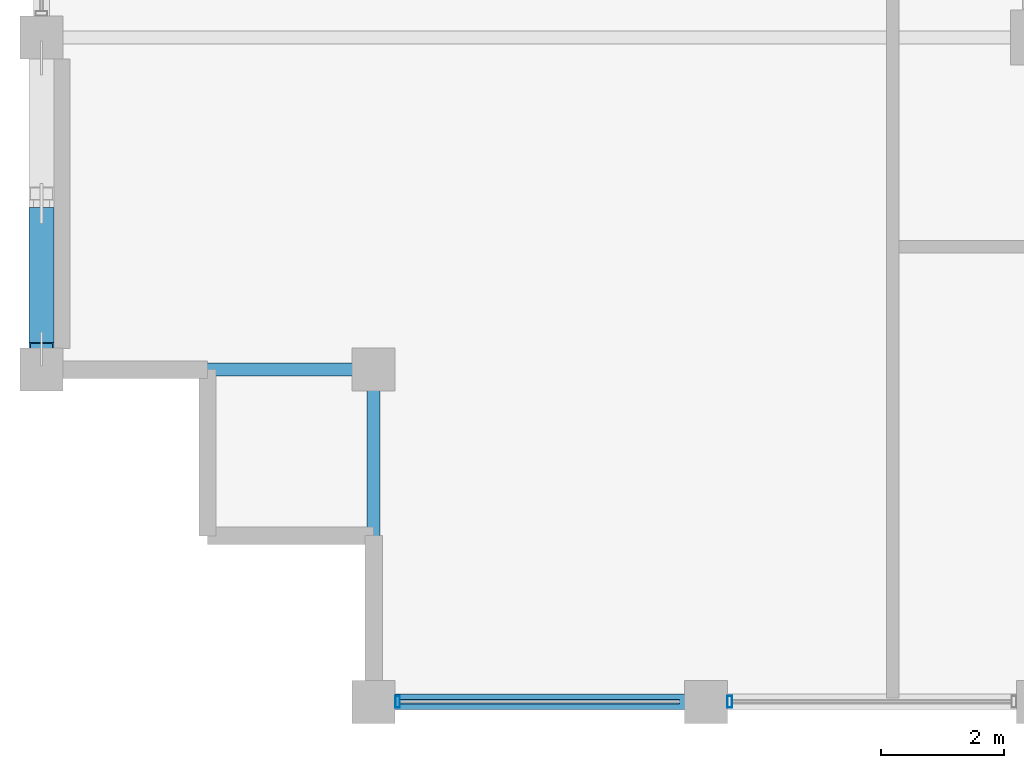
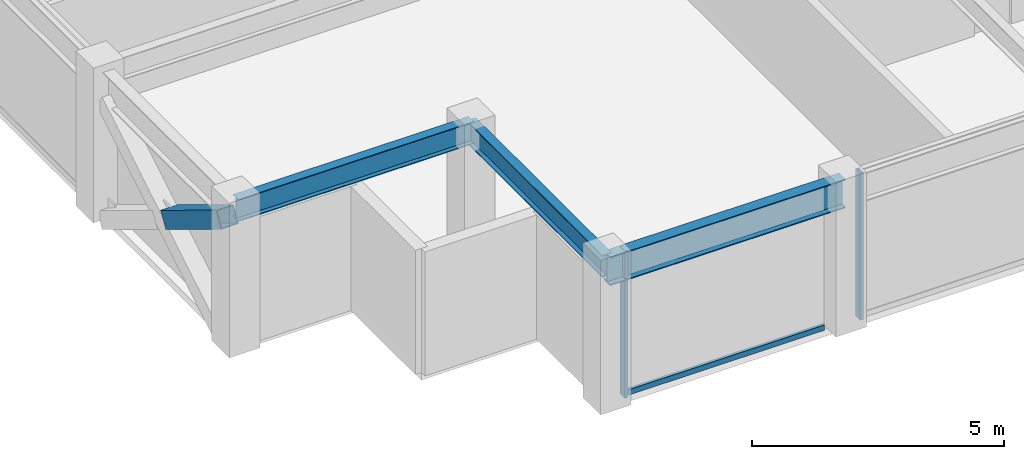
# One storey, part 2 of 31: 4 members, 3 beams, 1 element without a shape of its own.
"""IFC4 building model written with IfcOpenShell, lengths in metres."""

from ifc_helpers import new_model, si_unit, direction, frame, origin, origin_2d, place, context, subcontext, project, spatial, hollow_rectangle, i_section, extrude, material, layer, layer_set, material_profile, profile_set, type_object, element, aggregate, save


model = new_model("IFC4")

# Units and contexts
model_context = context("Model", 3, precision=1e-05, world=origin(), true_north=direction((0.0, 1.0)))
body_context = subcontext(model_context, "Body", "Model", "MODEL_VIEW")
ifc_project = project(units=[si_unit("LENGTHUNIT", "METRE"), si_unit("AREAUNIT", "SQUARE_METRE"), si_unit("VOLUMEUNIT", "CUBIC_METRE"), si_unit("PLANEANGLEUNIT", "RADIAN"), si_unit("MASSUNIT", "GRAM", prefix="KILO")], contexts=[model_context])

# Site, building, storey
site_placement = place(None, origin())
site = spatial("IfcSite", under=ifc_project, at=site_placement, CompositionType="ELEMENT")
building_placement = place(site_placement, origin())
building = spatial("IfcBuilding", under=site, at=building_placement, Name="Surkhivell Harbour Commons", CompositionType="ELEMENT")
storey_placement = place(building_placement, frame((0.0, 0.0, 288.75)))
storey = spatial("IfcBuildingStorey", under=building, at=storey_placement, Name="L75", CompositionType="ELEMENT", Elevation=288.75)

# Beams
ifc_material_1 = material(Name="Steel S355", Category="steel")
ifc_material_profile_1 = material_profile(ifc_material_1, i_section(OverallWidth=0.2099609375, OverallDepth=0.537109375, WebThickness=0.0107421875, FlangeThickness=0.017333984375, at=origin_2d()), Name="UB533x210x101")
ifc_profile_set_1 = profile_set([ifc_material_profile_1], Name="Steel S355")
beam_type_1 = type_object("IfcBeamType", Name="BM-GRD-533B", PredefinedType="BEAM", material=ifc_profile_set_1)
beam_1_placement = place(storey_placement, frame((-27.0, -16.199951171875, 3.301513671875), z_axis=(1.0, 0.0, 0.0), x_axis=(0.0, 1.0, 0.0)))
element("IfcBeam", 1, at=beam_1_placement, inside=storey, type_object=beam_type_1, Name="L75 Floor Girder (-27.0,-16.2)", PredefinedType="BEAM", context=body_context, shape_type="SweptSolid", body=[
    extrude(i_section(OverallWidth=0.2099609375, OverallDepth=0.537109375, WebThickness=0.0107421875, FlangeThickness=0.017333984375, at=origin_2d()), origin(), (0.0, 0.0, 1.0), 5.39990234375),
])
beam_2_placement = place(storey_placement, frame((-21.60009765625, -21.60009765625, 3.301513671875), z_axis=(0.0, 1.0, 0.0), x_axis=(-1.0, 0.0, 0.0)))
element("IfcBeam", 2, at=beam_2_placement, inside=storey, type_object=beam_type_1, Name="L75 Floor Girder (-21.6,-21.6)", PredefinedType="BEAM", context=body_context, shape_type="SweptSolid", body=[
    extrude(i_section(OverallWidth=0.2099609375, OverallDepth=0.537109375, WebThickness=0.0107421875, FlangeThickness=0.017333984375, at=origin_2d()), origin(), (0.0, 0.0, 1.0), 5.400146484375),
])
ifc_material_profile_2 = material_profile(ifc_material_1, i_section(OverallWidth=0.256103515625, OverallDepth=0.693115234375, WebThickness=0.014404296875, FlangeThickness=0.023681640625, at=origin_2d()), Name="UB686x254x170")
ifc_profile_set_2 = profile_set([ifc_material_profile_2], Name="Steel S355")
beam_type_2 = type_object("IfcBeamType", Name="BM-SPN-686", PredefinedType="SPANDREL", material=ifc_profile_set_2)
beam_3_placement = place(storey_placement, frame((-21.60009765625, -21.60009765625, 3.223388671875), z_axis=(1.0, 0.0, 0.0), x_axis=(0.0, 1.0, 0.0)))
element("IfcBeam", 3, at=beam_3_placement, inside=storey, type_object=beam_type_2, Name="L75 Tube Spandrel (-21.6,-21.6)", PredefinedType="SPANDREL", context=body_context, shape_type="SweptSolid", body=[
    extrude(i_section(OverallWidth=0.256103515625, OverallDepth=0.693115234375, WebThickness=0.014404296875, FlangeThickness=0.023681640625, at=origin_2d()), origin(), (0.0, 0.0, 1.0), 5.400146484375),
])

# Curtain wall, members
ifc_material_2 = material(Name="Anodised pale-metal aluminium and insulated glazing", Category="aluminium")
ifc_layer = layer(ifc_material_2, 0.175048828125)
ifc_layer_set = layer_set([ifc_layer], Name="Anodised pale-metal aluminium and insulated glazing")
curtain_wall_type = type_object("IfcCurtainWallType", Name="CW-SYS-Z4", PredefinedType="NOTDEFINED", material=ifc_layer_set)
curtain_wall_placement = place(storey_placement, origin())
curtain_wall = element("IfcCurtainWall", 4, at=curtain_wall_placement, inside=storey, type_object=curtain_wall_type, Name="L75 Curtain Wall CW-L75-E00S1", PredefinedType="NOTDEFINED")
ifc_material_3 = material(Name="Anodised pale-metal aluminium alloy 6063-T6", Category="aluminium")
ifc_material_profile_3 = material_profile(ifc_material_3, hollow_rectangle(XDim=0.074951171875, YDim=0.18994140625, WallThickness=0.00390625, at=origin_2d()), Name="ALU-MULL-75x190")
ifc_profile_set_3 = profile_set([ifc_material_profile_3], Name="Anodised pale-metal aluminium alloy 6063-T6")
member_type_1 = type_object("IfcMemberType", Name="CWM-190", PredefinedType="MULLION", material=ifc_profile_set_3)
member_1_placement = place(storey_placement, frame((-21.21044921875, -21.60009765625, 0.0), z_axis=(0.0, 0.0, 1.0), x_axis=(1.0, 0.0, 0.0)))
member_1 = element("IfcMember", 5, at=member_1_placement, type_object=member_type_1, Name="CW-Z4 mullion 1", PredefinedType="MULLION", context=body_context, shape_type="SweptSolid", body=[
    extrude(hollow_rectangle(XDim=0.074951171875, YDim=0.18994140625, WallThickness=0.00390625, at=origin_2d()), origin(), (0.0, 0.0, 1.0), 3.570068359375),
])
member_2_placement = place(storey_placement, frame((-15.810546875, -21.60009765625, 0.0), z_axis=(0.0, 0.0, 1.0), x_axis=(1.0, 0.0, 0.0)))
member_2 = element("IfcMember", 6, at=member_2_placement, type_object=member_type_1, Name="CW-Z4 mullion 2", PredefinedType="MULLION", context=body_context, shape_type="SweptSolid", body=[
    extrude(hollow_rectangle(XDim=0.074951171875, YDim=0.18994140625, WallThickness=0.00390625, at=origin_2d()), origin(), (0.0, 0.0, 1.0), 3.570068359375),
])
ifc_material_4 = material(Name="Champagne anodised aluminium alloy 6063-T6", Category="aluminium")
ifc_material_profile_4 = material_profile(ifc_material_4, hollow_rectangle(XDim=0.070068359375, YDim=0.1298828125, WallThickness=0.00341796875, at=origin_2d()), Name="ALU-TRAN-70x130")
ifc_profile_set_4 = profile_set([ifc_material_profile_4], Name="Champagne anodised aluminium alloy 6063-T6")
member_type_2 = type_object("IfcMemberType", Name="CWT-130", PredefinedType="USERDEFINED", material=ifc_profile_set_4)
member_3_placement = place(storey_placement, frame((-21.173095703125, -21.60009765625, 0.06494140625), z_axis=(1.0, 0.0, 0.0), x_axis=(0.0, 1.0, 0.0)))
member_3 = element("IfcMember", 7, at=member_3_placement, type_object=member_type_2, Name="CW-Z4 transom 1.1", ObjectType="TRANSOM", PredefinedType="USERDEFINED", context=body_context, shape_type="SweptSolid", body=[
    extrude(hollow_rectangle(XDim=0.070068359375, YDim=0.1298828125, WallThickness=0.00341796875, at=origin_2d()), origin(), (0.0, 0.0, 1.0), 4.546142578125),
])
aggregate(curtain_wall, [member_1, member_3, member_2])

# Member
ifc_material_5 = material(Name="Steel S460", Category="steel")
ifc_material_profile_5 = material_profile(ifc_material_5, hollow_rectangle(XDim=0.39990234375, YDim=0.39990234375, WallThickness=0.02001953125, at=origin_2d()), Name="SHS400x400x20")
ifc_profile_set_5 = profile_set([ifc_material_profile_5], Name="Steel S460")
member_type_3 = type_object("IfcMemberType", Name="MEM-BRC-SHS400", PredefinedType="BRACE", material=ifc_profile_set_5)
member_4_placement = place(storey_placement, frame((-27.0, -13.6640625, 1.544189453125), z_axis=(0.0, -0.854677846108, 0.519158722716), x_axis=(1.0, 0.0, 0.0)))
element("IfcMember", 8, at=member_4_placement, inside=storey, type_object=member_type_3, Name="L75 Perimeter Mega-Brace MB- 12", PredefinedType="BRACE", context=body_context, shape_type="SweptSolid", body=[
    extrude(hollow_rectangle(XDim=0.39990234375, YDim=0.39990234375, WallThickness=0.02001953125, at=origin_2d()), origin(), (0.0, 0.0, 1.0), 2.5751953125),
])

save(model, "model.ifc")
